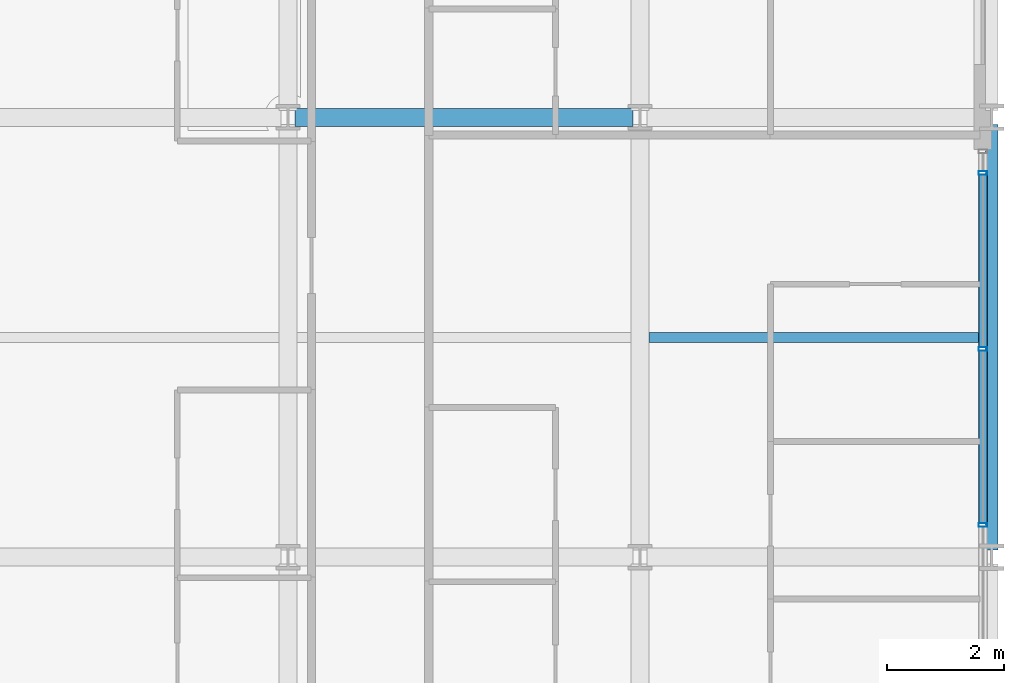
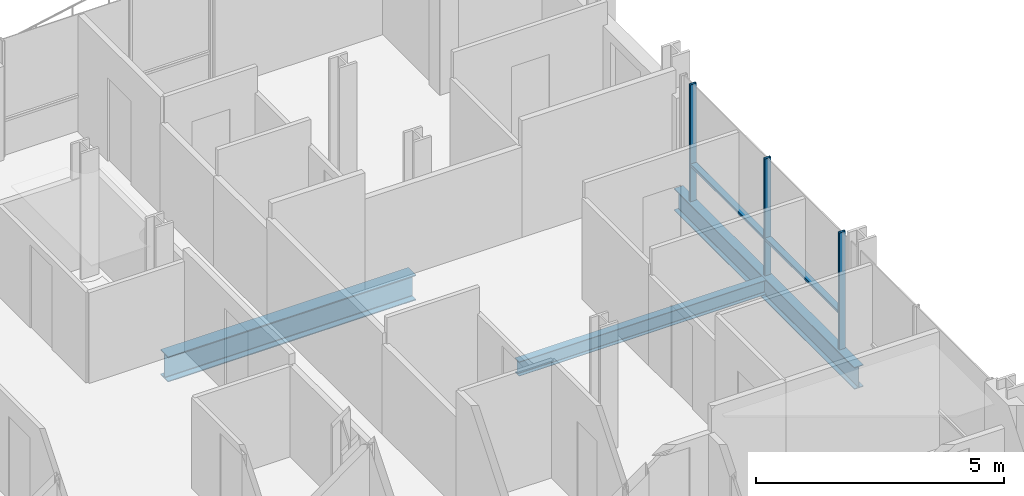
# One storey, part 19 of 41: 5 members, 3 beams, 1 element without a shape of its own.
"""IFC4 building model written with IfcOpenShell, lengths in metres."""

import ifcopenshell
import ifcopenshell.guid

model = None  # the IFC model being written
_history = None  # IfcOwnerHistory: only IFC2X3 demands one
_inside = {}  # id of a spatial element -> (the spatial element, [elements in it])
_under = {}  # id of a project, library or spatial element -> (it, [spatial elements below it])
_declared = {}  # id of a project -> (the project, [libraries it declares])
_typed = {}  # id of a type object -> (the type object, [elements of that type])
_made_of = {}  # id of a material, layer set ... -> (it, [elements and type objects made of it])


def new_model(schema):
    """Start an empty IFC model of exactly this schema.

    Asked for "IFC4X3", IfcOpenShell would pick the latest addendum, in which some entities
    have other attributes; the version numbers below select the first issue.
    IFC2X3 requires an IfcOwnerHistory on every rooted entity: one is made here for all.
    """
    global model, _history
    if schema == "IFC4X3":
        model = ifcopenshell.file(schema_version=(4, 3, 0, 0))
    else:
        model = ifcopenshell.file(schema=schema)
    _inside.clear()
    _under.clear()
    _declared.clear()
    _typed.clear()
    _made_of.clear()
    _history = None
    if model.schema == "IFC2X3":
        org = make("IfcOrganization", Name="unknown")
        user = make(
            "IfcPersonAndOrganization",
            ThePerson=make("IfcPerson", FamilyName="unknown"),
            TheOrganization=org,
        )
        app = make(
            "IfcApplication",
            ApplicationDeveloper=org,
            Version="unknown",
            ApplicationFullName="unknown",
            ApplicationIdentifier="unknown",
        )
        _history = make(
            "IfcOwnerHistory",
            OwningUser=user,
            OwningApplication=app,
            ChangeAction="ADDED",
            CreationDate=0,
        )
    return model


def make(cls, **values):
    """One entity of the class cls with the attributes given. An attribute that is None is left unset."""
    return model.create_entity(
        cls, **{name: value for name, value in values.items() if value is not None}
    )


def rooted(cls, **values):
    """An entity with a GlobalId (a new one), such as an element, a storey or a relation."""
    return make(cls, GlobalId=ifcopenshell.guid.new(), OwnerHistory=_history, **values)


def si_unit(unit_type, name, prefix=None):
    """IfcSIUnit, for example si_unit("LENGTHUNIT", "METRE", prefix="MILLI")."""
    return make("IfcSIUnit", UnitType=unit_type, Prefix=prefix, Name=name)


def assignment(units):
    """IfcUnitAssignment: the units of a project."""
    return None if units is None else make("IfcUnitAssignment", Units=units)


def point(xyz):
    """IfcCartesianPoint."""
    return None if xyz is None else make("IfcCartesianPoint", Coordinates=xyz)


def direction(xyz):
    """IfcDirection."""
    return None if xyz is None else make("IfcDirection", DirectionRatios=xyz)


def frame(location, z_axis=None, x_axis=None):
    """IfcAxis2Placement3D, a coordinate frame: its origin and axes. An axis left out is left unset."""
    return make(
        "IfcAxis2Placement3D",
        Location=point(location),
        Axis=direction(z_axis),
        RefDirection=direction(x_axis),
    )


def frame_2d(location, x_axis=None):
    """IfcAxis2Placement2D, a coordinate frame in the plane: its origin and x axis."""
    return make(
        "IfcAxis2Placement2D", Location=point(location), RefDirection=direction(x_axis)
    )


def origin():
    """The frame at (0, 0, 0) with its axes left unset."""
    return frame((0.0, 0.0, 0.0))


def origin_2d():
    """The frame at (0, 0) in the plane with its x axis left unset."""
    return frame_2d((0.0, 0.0))


def place(relative_to, where):
    """IfcLocalPlacement: puts the frame where relative to a parent placement (None: the world)."""
    return make(
        "IfcLocalPlacement", PlacementRelTo=relative_to, RelativePlacement=where
    )


def context(
    kind, dimensions, precision=None, world=None, true_north=None, identifier=None
):
    """IfcGeometricRepresentationContext, for example the 3D "Model" context."""
    return make(
        "IfcGeometricRepresentationContext",
        ContextIdentifier=identifier,
        ContextType=kind,
        CoordinateSpaceDimension=dimensions,
        Precision=precision,
        WorldCoordinateSystem=world,
        TrueNorth=true_north,
    )


def subcontext(parent, identifier, kind, view, scale=None):
    """IfcGeometricRepresentationSubContext, for example "Body" below "Model"."""
    return make(
        "IfcGeometricRepresentationSubContext",
        ContextIdentifier=identifier,
        ContextType=kind,
        ParentContext=parent,
        TargetScale=scale,
        TargetView=view,
    )


def project(units=None, contexts=None):
    """IfcProject with its units and contexts."""
    return rooted(
        "IfcProject",
        Name="project",
        RepresentationContexts=contexts,
        UnitsInContext=assignment(units),
    )


def spatial(cls, under=None, at=None, **own):
    """A site, building, storey or space (cls), placed at a placement, below another one or the project."""
    s = rooted(cls, ObjectPlacement=at, **own)
    if under is not None:
        _under.setdefault(under.id(), (under, []))[1].append(s)
    return s


def profile(cls, at=None, kind="AREA", **sizes):
    """A parametric profile (cls). Its sizes go by their IFC names, for example OverallWidth=200.0."""
    return make(cls, ProfileType=kind, Position=at, **sizes)


def hollow_rectangle(**sizes):
    """IfcRectangleHollowProfileDef."""
    return profile("IfcRectangleHollowProfileDef", **sizes)


def i_section(**sizes):
    """IfcIShapeProfileDef."""
    return profile("IfcIShapeProfileDef", **sizes)


def extrude(swept, where, along, depth):
    """IfcExtrudedAreaSolid: the profile swept, set in the frame where, extruded along a direction by depth."""
    return make(
        "IfcExtrudedAreaSolid",
        SweptArea=swept,
        Position=where,
        ExtrudedDirection=direction(along),
        Depth=depth,
    )


def shape(context_of_items, identifier, shape_type, items):
    """IfcShapeRepresentation: the items that make up one representation, for example the "Body"."""
    return make(
        "IfcShapeRepresentation",
        ContextOfItems=context_of_items,
        RepresentationIdentifier=identifier,
        RepresentationType=shape_type,
        Items=items,
    )


def material(Name=None, Category=None):
    """IfcMaterial."""
    return make("IfcMaterial", Name=Name, Category=Category)


def layer(
    of_material, thickness, ventilated=None, Name=None, Category=None, Priority=None
):
    """IfcMaterialLayer: one layer of a wall or slab, of a material (None: an air gap)."""
    return make(
        "IfcMaterialLayer",
        Material=of_material,
        LayerThickness=thickness,
        IsVentilated=ventilated,
        Name=Name,
        Category=Category,
        Priority=Priority,
    )


def layer_set(layers, Name=None):
    """IfcMaterialLayerSet."""
    return make("IfcMaterialLayerSet", MaterialLayers=layers, LayerSetName=Name)


def material_profile(
    of_material, cross_section, Name=None, Category=None, Priority=None
):
    """IfcMaterialProfile: a cross section and its material."""
    return make(
        "IfcMaterialProfile",
        Name=Name,
        Material=of_material,
        Profile=cross_section,
        Priority=Priority,
        Category=Category,
    )


def profile_set(profiles, Name=None, composite=None):
    """IfcMaterialProfileSet."""
    return make(
        "IfcMaterialProfileSet",
        Name=Name,
        MaterialProfiles=profiles,
        CompositeProfile=composite,
    )


def made_of(thing, what):
    """Note that an element or type object is made of a material, layer set ...; save() writes the relation."""
    if what is not None:
        _made_of.setdefault(what.id(), (what, []))[1].append(thing)
    return thing


def type_object(cls, material=None, **own):
    """A type object (cls), such as IfcWallType, which elements share."""
    return made_of(rooted(cls, **own), material)


def element(
    cls,
    number,
    at=None,
    inside=None,
    cuts=None,
    type_object=None,
    material=None,
    context=None,
    identifier="Body",
    shape_type=None,
    held_by="IfcProductDefinitionShape",
    body=None,
    shapes=None,
    **own,
):
    """One element of the class cls, such as IfcWall. Its Tag is "e" and its number.

    at: its placement. inside: the storey or other place that contains it. cuts: it is an
    opening in that element (IfcRelVoidsElement). A single representation is given by context,
    identifier, shape_type and body (its items); several are given by shapes. held_by: the class
    of the entity that holds the representations. save() writes the other relations.
    """
    e = rooted(cls, Tag="e%d" % number, ObjectPlacement=at, **own)
    if body is not None:
        shapes = [shape(context, identifier, shape_type, body)]
    if shapes is not None:
        e.Representation = make(held_by, Representations=shapes)
    if inside is not None:
        _inside.setdefault(inside.id(), (inside, []))[1].append(e)
    if cuts is not None:
        rooted(
            "IfcRelVoidsElement", RelatingBuildingElement=cuts, RelatedOpeningElement=e
        )
    if type_object is not None:
        _typed.setdefault(type_object.id(), (type_object, []))[1].append(e)
    return made_of(e, material)


def aggregate(whole, parts):
    """IfcRelAggregates: a whole, such as a stair, and the parts it consists of."""
    return rooted("IfcRelAggregates", RelatingObject=whole, RelatedObjects=parts)


def save(model, path):
    """Write the relations noted so far, then the file.

    IfcRelAggregates (storeys below a building ...), IfcRelContainedInSpatialStructure (elements
    in a storey), IfcRelDefinesByType, IfcRelAssociatesMaterial and IfcRelDeclares: one each for
    every whole, place, type object, material and project.
    """
    for whole, parts in _under.values():
        aggregate(whole, parts)
    for where, things in _inside.values():
        rooted(
            "IfcRelContainedInSpatialStructure",
            RelatedElements=things,
            RelatingStructure=where,
        )
    for kind, things in _typed.values():
        rooted("IfcRelDefinesByType", RelatedObjects=things, RelatingType=kind)
    for what, things in _made_of.values():
        rooted("IfcRelAssociatesMaterial", RelatedObjects=things, RelatingMaterial=what)
    for by, libraries in _declared.values():
        rooted("IfcRelDeclares", RelatingContext=by, RelatedDefinitions=libraries)
    model.write(path)


model = new_model("IFC4")

# Units and contexts
model_context = context("Model", 3, precision=1e-05, world=origin(), true_north=direction((0.0, 1.0)))
body_context = subcontext(model_context, "Body", "Model", "MODEL_VIEW")
ifc_project = project(units=[si_unit("LENGTHUNIT", "METRE"), si_unit("AREAUNIT", "SQUARE_METRE"), si_unit("VOLUMEUNIT", "CUBIC_METRE"), si_unit("PLANEANGLEUNIT", "RADIAN"), si_unit("MASSUNIT", "GRAM", prefix="KILO")], contexts=[model_context])

# Site, building, storey
site_placement = place(None, origin())
site = spatial("IfcSite", under=ifc_project, at=site_placement, CompositionType="ELEMENT")
building_placement = place(site_placement, origin())
building = spatial("IfcBuilding", under=site, at=building_placement, Name="Brevholm Reach", CompositionType="ELEMENT")
storey_placement = place(building_placement, frame((0.0, 0.0, 74.5)))
storey = spatial("IfcBuildingStorey", under=building, at=storey_placement, Name="L21", CompositionType="ELEMENT", Elevation=74.5)

# Beams
ifc_material_1 = material(Name="Structural Steel S355J2", Category="steel")
ifc_material_profile_1 = material_profile(ifc_material_1, i_section(OverallWidth=0.17138671875, OverallDepth=0.35498046875, WebThickness=0.00732421875, FlangeThickness=0.011474609375, FilletRadius=0.01025390625, at=origin_2d()), Name="UKB 356x171x51")
ifc_profile_set_1 = profile_set([ifc_material_profile_1], Name="Structural Steel S355J2")
beam_type_1 = type_object("IfcBeamType", Name="BM-B356", PredefinedType="BEAM", material=ifc_profile_set_1)
beam_1_placement = place(storey_placement, frame((54.153564453125, 19.75, -0.407470703125), z_axis=(1.0, 0.0, 0.0), x_axis=(0.0, 1.0, 0.0)))
element("IfcBeam", 1, at=beam_1_placement, inside=storey, type_object=beam_type_1, Name="L21 Composite Secondary Floor Beam", PredefinedType="BEAM", context=body_context, shape_type="SweptSolid", body=[
    extrude(i_section(OverallWidth=0.17138671875, OverallDepth=0.35498046875, WebThickness=0.00732421875, FlangeThickness=0.011474609375, FilletRadius=0.01025390625, at=origin_2d()), origin(), (0.0, 0.0, 1.0), 5.740966796875),
])
ifc_material_2 = material(Name="Structural Steel S355J2", Category="steel")
ifc_material_profile_2 = material_profile(ifc_material_2, i_section(OverallWidth=0.210693359375, OverallDepth=0.53955078125, WebThickness=0.01171875, FlangeThickness=0.018798828125, FilletRadius=0.0126953125, at=origin_2d()), Name="UKB 533x210x109")
ifc_profile_set_2 = profile_set([ifc_material_profile_2], Name="Structural Steel S355J2")
beam_type_2 = type_object("IfcBeamType", Name="BM-SP539", PredefinedType="SPANDREL", material=ifc_profile_set_2)
beam_2_placement = place(storey_placement, frame((60.0, 16.1201171875, -0.499755859375), z_axis=(0.0, 1.0, 0.0), x_axis=(-1.0, 0.0, 0.0)))
element("IfcBeam", 2, at=beam_2_placement, inside=storey, type_object=beam_type_2, Name="L21 SP-01B Framing Beam", PredefinedType="SPANDREL", context=body_context, shape_type="SweptSolid", body=[
    extrude(i_section(OverallWidth=0.210693359375, OverallDepth=0.53955078125, WebThickness=0.01171875, FlangeThickness=0.018798828125, FilletRadius=0.0126953125, at=origin_2d()), origin(), (0.0, 0.0, 1.0), 7.259765625),
])
ifc_material_3 = material(Name="Structural Steel S355J2", Category="steel")
ifc_material_profile_3 = material_profile(ifc_material_3, i_section(OverallWidth=0.30712890625, OverallDepth=0.6201171875, WebThickness=0.01416015625, FlangeThickness=0.023681640625, FilletRadius=0.0166015625, at=origin_2d()), Name="UKB 610x305x179")
ifc_profile_set_3 = profile_set([ifc_material_profile_3], Name="Structural Steel S355J2")
beam_type_3 = type_object("IfcBeamType", Name="BM-UKB610H", PredefinedType="USERDEFINED", material=ifc_profile_set_3)
beam_3_placement = place(storey_placement, frame((48.1201171875, 23.5, -0.5400390625), z_axis=(1.0, 0.0, 0.0), x_axis=(0.0, 1.0, 0.0)))
element("IfcBeam", 3, at=beam_3_placement, inside=storey, type_object=beam_type_3, Name="L21 G-06 Framing Beam", ObjectType="GIRDER", PredefinedType="USERDEFINED", context=body_context, shape_type="SweptSolid", body=[
    extrude(i_section(OverallWidth=0.30712890625, OverallDepth=0.6201171875, WebThickness=0.01416015625, FlangeThickness=0.023681640625, FilletRadius=0.0166015625, at=origin_2d()), origin(), (0.0, 0.0, 1.0), 5.759765625),
])

# Curtain wall, members
ifc_material_4 = material(Name="Dark Anodised Aluminium 6063-T6 and Solar-Control Glass", Category="aluminium")
ifc_layer = layer(ifc_material_4, 0.14990234375)
ifc_layer_set = layer_set([ifc_layer], Name="Dark Anodised Aluminium 6063-T6 and Solar-Control Glass")
curtain_wall_type = type_object("IfcCurtainWallType", Name="CW-01", PredefinedType="NOTDEFINED", material=ifc_layer_set)
curtain_wall_placement = place(storey_placement, origin())
curtain_wall = element("IfcCurtainWall", 4, at=curtain_wall_placement, inside=storey, type_object=curtain_wall_type, Name="L21 Curtain Wall CW-01", PredefinedType="NOTDEFINED")
ifc_material_5 = material(Name="Dark Anodised Aluminium 6063-T6", Category="aluminium")
ifc_material_profile_4 = material_profile(ifc_material_5, hollow_rectangle(XDim=0.06494140625, YDim=0.14990234375, WallThickness=0.0048828125, InnerFilletRadius=0.0048828125, OuterFilletRadius=0.010009765625, at=origin_2d()), Name="RHS 150x65x5")
ifc_profile_set_4 = profile_set([ifc_material_profile_4], Name="Dark Anodised Aluminium 6063-T6")
member_type_1 = type_object("IfcMemberType", Name="CWM-150", PredefinedType="MULLION", material=ifc_profile_set_4)
member_1_placement = place(storey_placement, frame((59.85009765625, 16.550048828125, 0.0), z_axis=(0.0, 0.0, 1.0), x_axis=(0.0, 1.0, 0.0)))
member_1 = element("IfcMember", 5, at=member_1_placement, type_object=member_type_1, Name="CM-150 Mullion 3", PredefinedType="MULLION", context=body_context, shape_type="SweptSolid", body=[
    extrude(hollow_rectangle(XDim=0.06494140625, YDim=0.14990234375, WallThickness=0.0048828125, InnerFilletRadius=0.0048828125, OuterFilletRadius=0.010009765625, at=origin_2d()), origin(), (0.0, 0.0, 1.0), 2.8701171875),
])
member_2_placement = place(storey_placement, frame((59.85009765625, 19.550048828125, 0.0), z_axis=(0.0, 0.0, 1.0), x_axis=(0.0, 1.0, 0.0)))
member_2 = element("IfcMember", 6, at=member_2_placement, type_object=member_type_1, Name="CM-150 Mullion 4", PredefinedType="MULLION", context=body_context, shape_type="SweptSolid", body=[
    extrude(hollow_rectangle(XDim=0.06494140625, YDim=0.14990234375, WallThickness=0.0048828125, InnerFilletRadius=0.0048828125, OuterFilletRadius=0.010009765625, at=origin_2d()), origin(), (0.0, 0.0, 1.0), 2.8701171875),
])
member_3_placement = place(storey_placement, frame((59.85009765625, 22.550048828125, 0.0), z_axis=(0.0, 0.0, 1.0), x_axis=(0.0, 1.0, 0.0)))
member_3 = element("IfcMember", 7, at=member_3_placement, type_object=member_type_1, Name="CM-150 Mullion 5", PredefinedType="MULLION", context=body_context, shape_type="SweptSolid", body=[
    extrude(hollow_rectangle(XDim=0.06494140625, YDim=0.14990234375, WallThickness=0.0048828125, InnerFilletRadius=0.0048828125, OuterFilletRadius=0.010009765625, at=origin_2d()), origin(), (0.0, 0.0, 1.0), 2.8701171875),
])
ifc_material_6 = material(Name="Dark Anodised Aluminium 6063-T6", Category="aluminium")
ifc_material_profile_5 = material_profile(ifc_material_6, hollow_rectangle(XDim=0.06494140625, YDim=0.14990234375, WallThickness=0.0048828125, InnerFilletRadius=0.0048828125, OuterFilletRadius=0.010009765625, at=origin_2d()), Name="RHS 150x65x5")
ifc_profile_set_5 = profile_set([ifc_material_profile_5], Name="Dark Anodised Aluminium 6063-T6")
member_type_2 = type_object("IfcMemberType", Name="CWT-150", PredefinedType="NOTDEFINED", material=ifc_profile_set_5)
member_4_placement = place(storey_placement, frame((59.85009765625, 16.58251953125, 0.89990234375), z_axis=(0.0, 1.0, 0.0), x_axis=(0.0, 0.0, 1.0)))
member_4 = element("IfcMember", 8, at=member_4_placement, type_object=member_type_2, Name="CT-150 Transom 3.1", ObjectType="TRANSOM", PredefinedType="USERDEFINED", context=body_context, shape_type="SweptSolid", body=[
    extrude(hollow_rectangle(XDim=0.06494140625, YDim=0.14990234375, WallThickness=0.0048828125, InnerFilletRadius=0.0048828125, OuterFilletRadius=0.010009765625, at=origin_2d()), origin(), (0.0, 0.0, 1.0), 2.93505859375),
])
member_5_placement = place(storey_placement, frame((59.85009765625, 19.58251953125, 0.89990234375), z_axis=(0.0, 1.0, 0.0), x_axis=(0.0, 0.0, 1.0)))
member_5 = element("IfcMember", 9, at=member_5_placement, type_object=member_type_2, Name="CT-150 Transom 4.1", ObjectType="TRANSOM", PredefinedType="USERDEFINED", context=body_context, shape_type="SweptSolid", body=[
    extrude(hollow_rectangle(XDim=0.06494140625, YDim=0.14990234375, WallThickness=0.0048828125, InnerFilletRadius=0.0048828125, OuterFilletRadius=0.010009765625, at=origin_2d()), origin(), (0.0, 0.0, 1.0), 2.93505859375),
])
aggregate(curtain_wall, [member_1, member_2, member_3, member_4, member_5])

save(model, "model.ifc")
